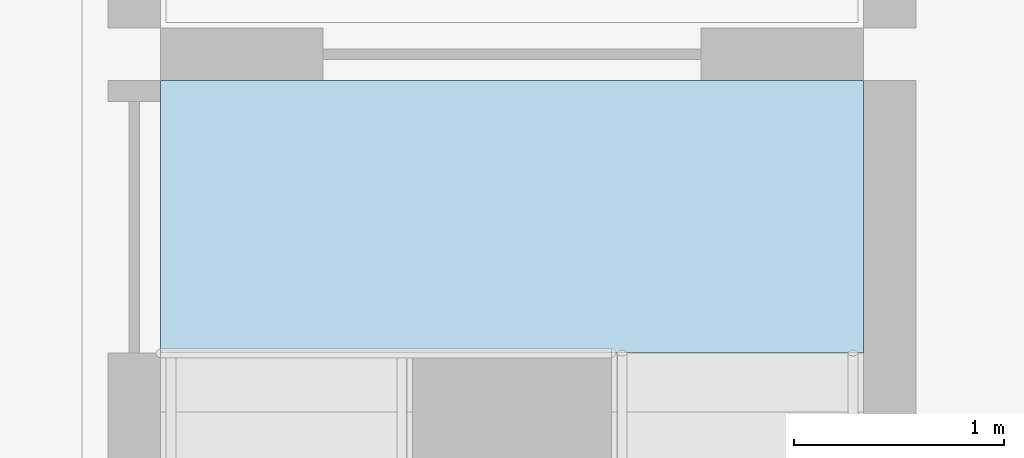
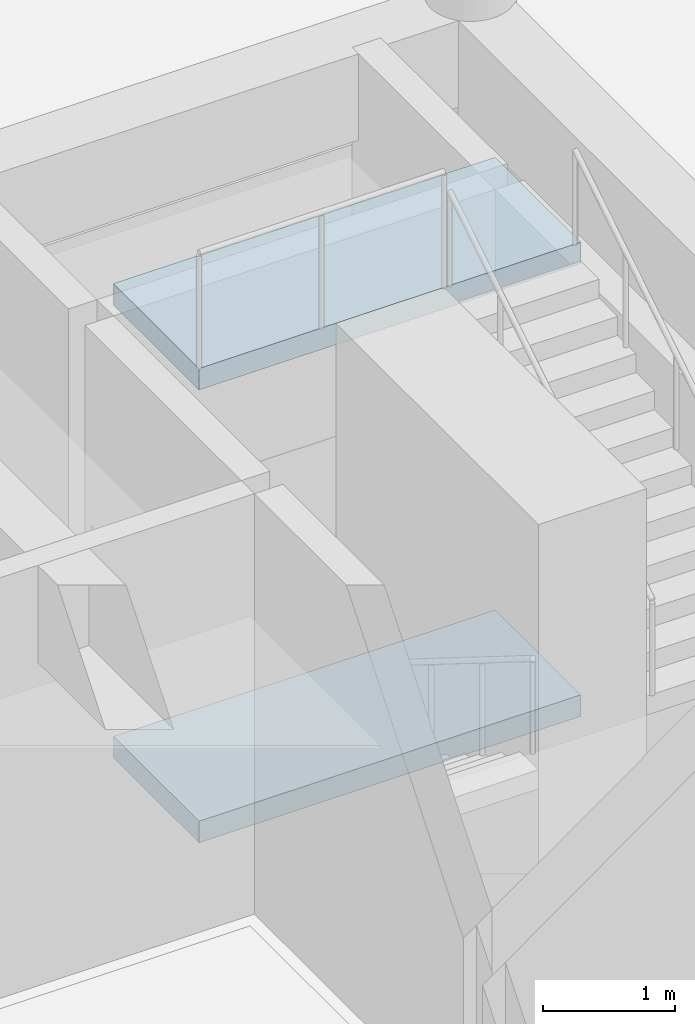
# One storey, part 11 of 28: 2 slabs, 1 element without a shape of its own.
"""IFC4 building model written with IfcOpenShell, lengths in metres."""

import ifcopenshell
import ifcopenshell.guid

model = None  # the IFC model being written
_history = None  # IfcOwnerHistory: only IFC2X3 demands one
_inside = {}  # id of a spatial element -> (the spatial element, [elements in it])
_under = {}  # id of a project, library or spatial element -> (it, [spatial elements below it])
_declared = {}  # id of a project -> (the project, [libraries it declares])
_typed = {}  # id of a type object -> (the type object, [elements of that type])
_made_of = {}  # id of a material, layer set ... -> (it, [elements and type objects made of it])


def new_model(schema):
    """Start an empty IFC model of exactly this schema.

    Asked for "IFC4X3", IfcOpenShell would pick the latest addendum, in which some entities
    have other attributes; the version numbers below select the first issue.
    IFC2X3 requires an IfcOwnerHistory on every rooted entity: one is made here for all.
    """
    global model, _history
    if schema == "IFC4X3":
        model = ifcopenshell.file(schema_version=(4, 3, 0, 0))
    else:
        model = ifcopenshell.file(schema=schema)
    _inside.clear()
    _under.clear()
    _declared.clear()
    _typed.clear()
    _made_of.clear()
    _history = None
    if model.schema == "IFC2X3":
        org = make("IfcOrganization", Name="unknown")
        user = make(
            "IfcPersonAndOrganization",
            ThePerson=make("IfcPerson", FamilyName="unknown"),
            TheOrganization=org,
        )
        app = make(
            "IfcApplication",
            ApplicationDeveloper=org,
            Version="unknown",
            ApplicationFullName="unknown",
            ApplicationIdentifier="unknown",
        )
        _history = make(
            "IfcOwnerHistory",
            OwningUser=user,
            OwningApplication=app,
            ChangeAction="ADDED",
            CreationDate=0,
        )
    return model


def make(cls, **values):
    """One entity of the class cls with the attributes given. An attribute that is None is left unset."""
    return model.create_entity(
        cls, **{name: value for name, value in values.items() if value is not None}
    )


def rooted(cls, **values):
    """An entity with a GlobalId (a new one), such as an element, a storey or a relation."""
    return make(cls, GlobalId=ifcopenshell.guid.new(), OwnerHistory=_history, **values)


def si_unit(unit_type, name, prefix=None):
    """IfcSIUnit, for example si_unit("LENGTHUNIT", "METRE", prefix="MILLI")."""
    return make("IfcSIUnit", UnitType=unit_type, Prefix=prefix, Name=name)


def assignment(units):
    """IfcUnitAssignment: the units of a project."""
    return None if units is None else make("IfcUnitAssignment", Units=units)


def point(xyz):
    """IfcCartesianPoint."""
    return None if xyz is None else make("IfcCartesianPoint", Coordinates=xyz)


def direction(xyz):
    """IfcDirection."""
    return None if xyz is None else make("IfcDirection", DirectionRatios=xyz)


def frame(location, z_axis=None, x_axis=None):
    """IfcAxis2Placement3D, a coordinate frame: its origin and axes. An axis left out is left unset."""
    return make(
        "IfcAxis2Placement3D",
        Location=point(location),
        Axis=direction(z_axis),
        RefDirection=direction(x_axis),
    )


def origin():
    """The frame at (0, 0, 0) with its axes left unset."""
    return frame((0.0, 0.0, 0.0))


def place(relative_to, where):
    """IfcLocalPlacement: puts the frame where relative to a parent placement (None: the world)."""
    return make(
        "IfcLocalPlacement", PlacementRelTo=relative_to, RelativePlacement=where
    )


def context(
    kind, dimensions, precision=None, world=None, true_north=None, identifier=None
):
    """IfcGeometricRepresentationContext, for example the 3D "Model" context."""
    return make(
        "IfcGeometricRepresentationContext",
        ContextIdentifier=identifier,
        ContextType=kind,
        CoordinateSpaceDimension=dimensions,
        Precision=precision,
        WorldCoordinateSystem=world,
        TrueNorth=true_north,
    )


def subcontext(parent, identifier, kind, view, scale=None):
    """IfcGeometricRepresentationSubContext, for example "Body" below "Model"."""
    return make(
        "IfcGeometricRepresentationSubContext",
        ContextIdentifier=identifier,
        ContextType=kind,
        ParentContext=parent,
        TargetScale=scale,
        TargetView=view,
    )


def project(units=None, contexts=None):
    """IfcProject with its units and contexts."""
    return rooted(
        "IfcProject",
        Name="project",
        RepresentationContexts=contexts,
        UnitsInContext=assignment(units),
    )


def spatial(cls, under=None, at=None, **own):
    """A site, building, storey or space (cls), placed at a placement, below another one or the project."""
    s = rooted(cls, ObjectPlacement=at, **own)
    if under is not None:
        _under.setdefault(under.id(), (under, []))[1].append(s)
    return s


def polyline(points):
    """IfcPolyline through the points."""
    return make("IfcPolyline", Points=[point(p) for p in points])


def outline(outer, holes=None, kind="AREA"):
    """IfcArbitraryClosedProfileDef: a profile drawn as a closed curve; with holes, ...WithVoids."""
    if holes is None:
        return make("IfcArbitraryClosedProfileDef", ProfileType=kind, OuterCurve=outer)
    return make(
        "IfcArbitraryProfileDefWithVoids",
        ProfileType=kind,
        OuterCurve=outer,
        InnerCurves=holes,
    )


def extrude(swept, where, along, depth):
    """IfcExtrudedAreaSolid: the profile swept, set in the frame where, extruded along a direction by depth."""
    return make(
        "IfcExtrudedAreaSolid",
        SweptArea=swept,
        Position=where,
        ExtrudedDirection=direction(along),
        Depth=depth,
    )


def shape(context_of_items, identifier, shape_type, items):
    """IfcShapeRepresentation: the items that make up one representation, for example the "Body"."""
    return make(
        "IfcShapeRepresentation",
        ContextOfItems=context_of_items,
        RepresentationIdentifier=identifier,
        RepresentationType=shape_type,
        Items=items,
    )


def material(Name=None, Category=None):
    """IfcMaterial."""
    return make("IfcMaterial", Name=Name, Category=Category)


def layer(
    of_material, thickness, ventilated=None, Name=None, Category=None, Priority=None
):
    """IfcMaterialLayer: one layer of a wall or slab, of a material (None: an air gap)."""
    return make(
        "IfcMaterialLayer",
        Material=of_material,
        LayerThickness=thickness,
        IsVentilated=ventilated,
        Name=Name,
        Category=Category,
        Priority=Priority,
    )


def layer_set(layers, Name=None):
    """IfcMaterialLayerSet."""
    return make("IfcMaterialLayerSet", MaterialLayers=layers, LayerSetName=Name)


def made_of(thing, what):
    """Note that an element or type object is made of a material, layer set ...; save() writes the relation."""
    if what is not None:
        _made_of.setdefault(what.id(), (what, []))[1].append(thing)
    return thing


def type_object(cls, material=None, **own):
    """A type object (cls), such as IfcWallType, which elements share."""
    return made_of(rooted(cls, **own), material)


def element(
    cls,
    number,
    at=None,
    inside=None,
    cuts=None,
    type_object=None,
    material=None,
    context=None,
    identifier="Body",
    shape_type=None,
    held_by="IfcProductDefinitionShape",
    body=None,
    shapes=None,
    **own,
):
    """One element of the class cls, such as IfcWall. Its Tag is "e" and its number.

    at: its placement. inside: the storey or other place that contains it. cuts: it is an
    opening in that element (IfcRelVoidsElement). A single representation is given by context,
    identifier, shape_type and body (its items); several are given by shapes. held_by: the class
    of the entity that holds the representations. save() writes the other relations.
    """
    e = rooted(cls, Tag="e%d" % number, ObjectPlacement=at, **own)
    if body is not None:
        shapes = [shape(context, identifier, shape_type, body)]
    if shapes is not None:
        e.Representation = make(held_by, Representations=shapes)
    if inside is not None:
        _inside.setdefault(inside.id(), (inside, []))[1].append(e)
    if cuts is not None:
        rooted(
            "IfcRelVoidsElement", RelatingBuildingElement=cuts, RelatedOpeningElement=e
        )
    if type_object is not None:
        _typed.setdefault(type_object.id(), (type_object, []))[1].append(e)
    return made_of(e, material)


def aggregate(whole, parts):
    """IfcRelAggregates: a whole, such as a stair, and the parts it consists of."""
    return rooted("IfcRelAggregates", RelatingObject=whole, RelatedObjects=parts)


def save(model, path):
    """Write the relations noted so far, then the file.

    IfcRelAggregates (storeys below a building ...), IfcRelContainedInSpatialStructure (elements
    in a storey), IfcRelDefinesByType, IfcRelAssociatesMaterial and IfcRelDeclares: one each for
    every whole, place, type object, material and project.
    """
    for whole, parts in _under.values():
        aggregate(whole, parts)
    for where, things in _inside.values():
        rooted(
            "IfcRelContainedInSpatialStructure",
            RelatedElements=things,
            RelatingStructure=where,
        )
    for kind, things in _typed.values():
        rooted("IfcRelDefinesByType", RelatedObjects=things, RelatingType=kind)
    for what, things in _made_of.values():
        rooted("IfcRelAssociatesMaterial", RelatedObjects=things, RelatingMaterial=what)
    for by, libraries in _declared.values():
        rooted("IfcRelDeclares", RelatingContext=by, RelatedDefinitions=libraries)
    model.write(path)


model = new_model("IFC4")

# Units and contexts
model_context = context("Model", 3, precision=1e-05, world=origin(), true_north=direction((0.0, 1.0)))
body_context = subcontext(model_context, "Body", "Model", "MODEL_VIEW")
ifc_project = project(units=[si_unit("LENGTHUNIT", "METRE"), si_unit("AREAUNIT", "SQUARE_METRE"), si_unit("VOLUMEUNIT", "CUBIC_METRE"), si_unit("PLANEANGLEUNIT", "RADIAN"), si_unit("MASSUNIT", "GRAM", prefix="KILO")], contexts=[model_context])

# Site, building, storey
site_placement = place(None, origin())
site = spatial("IfcSite", under=ifc_project, at=site_placement, CompositionType="ELEMENT")
building_placement = place(site_placement, origin())
building = spatial("IfcBuilding", under=site, at=building_placement, Name="Fogon Plaza Fire Station and Headquarters Tower", CompositionType="ELEMENT")
storey_placement = place(building_placement, origin())
storey = spatial("IfcBuildingStorey", under=building, at=storey_placement, Name="L00", CompositionType="ELEMENT", Elevation=0.0)

# Stair, slabs
ifc_material_1 = material(Name="Concrete C40", Category="concrete")
stair_type = type_object("IfcStairType", Name="Wing Stair 1200", PredefinedType="HALF_TURN_STAIR", material=ifc_material_1)
stair_placement = place(storey_placement, origin())
stair = element("IfcStair", 1, at=stair_placement, inside=storey, type_object=stair_type, Name="ST7", PredefinedType="HALF_TURN_STAIR")
ifc_material_2 = material(Name="Concrete C40", Category="concrete")
ifc_layer = layer(ifc_material_2, 0.199951171875)
ifc_layer_set = layer_set([ifc_layer], Name="Concrete C40")
slab_type = type_object("IfcSlabType", Name="Wing Stair Landing 200", PredefinedType="LANDING", material=ifc_layer_set)
slab_1_placement = place(storey_placement, frame((0.0, 0.0, -0.199951171875)))
slab_1 = element("IfcSlab", 2, at=slab_1_placement, type_object=slab_type, Name="ST7 landing 1", PredefinedType="LANDING", context=body_context, shape_type="SweptSolid", body=[
    extrude(outline(polyline([(85.125, 53.97509765625), (88.47509765625, 53.97509765625), (88.47509765625, 55.27490234375), (85.125, 55.27490234375), (85.125, 53.97509765625)])), origin(), (0.0, 0.0, 1.0), 0.199951171875),
])
slab_2_placement = place(storey_placement, frame((0.0, 0.0, 4.0)))
slab_2 = element("IfcSlab", 3, at=slab_2_placement, type_object=slab_type, Name="ST7 landing 3", PredefinedType="LANDING", context=body_context, shape_type="SweptSolid", body=[
    extrude(outline(polyline([(85.125, 53.97509765625), (88.47509765625, 53.97509765625), (88.47509765625, 55.27490234375), (85.125, 55.27490234375), (85.125, 53.97509765625)])), origin(), (0.0, 0.0, 1.0), 0.199951171875),
])
aggregate(stair, [slab_1, slab_2])

save(model, "model.ifc")
